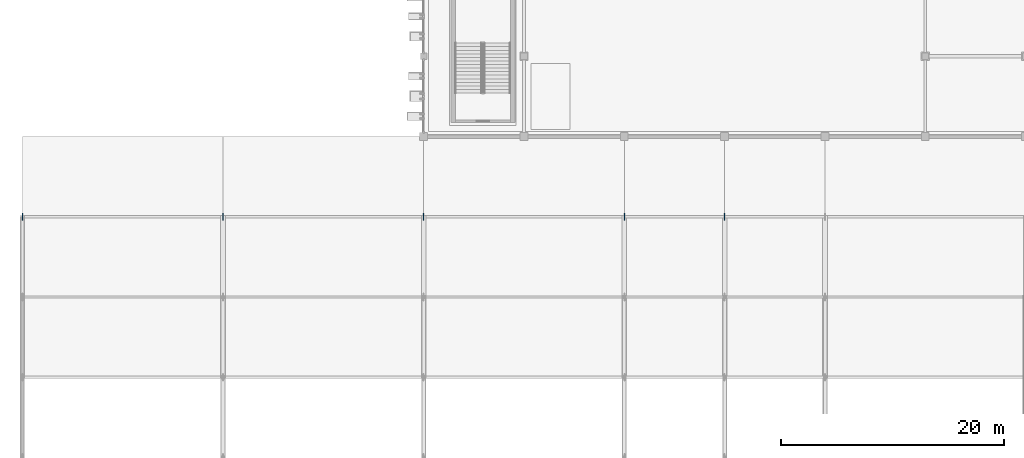
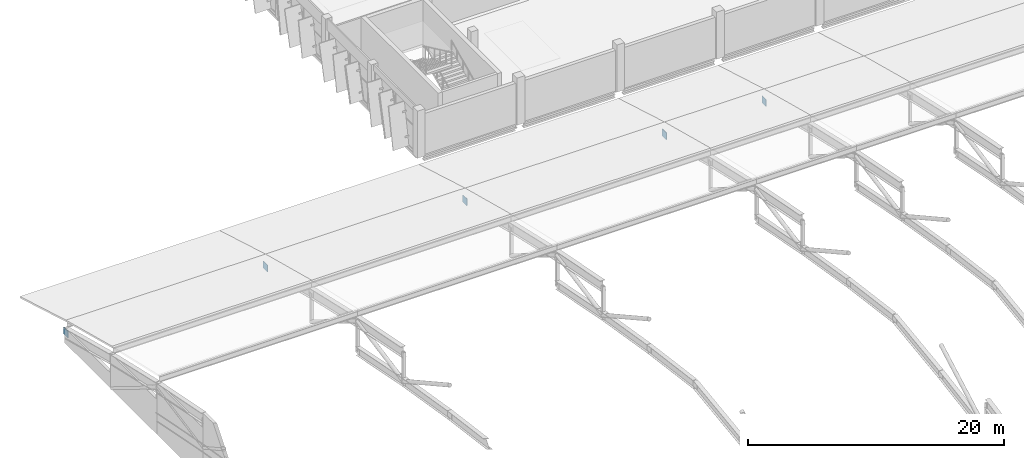
# One storey, part 86 of 124: 5 plates.
"""IFC4 building model written with IfcOpenShell, lengths in metres."""

from ifc_helpers import new_model, si_unit, direction, frame, origin, origin_2d, place, context, subcontext, project, spatial, rectangle, extrude, material, layer, layer_set, type_object, element, save


model = new_model("IFC4")

# Units and contexts
model_context = context("Model", 3, precision=1e-05, world=origin(), true_north=direction((0.0, 1.0)))
body_context = subcontext(model_context, "Body", "Model", "MODEL_VIEW")
ifc_project = project(units=[si_unit("LENGTHUNIT", "METRE"), si_unit("AREAUNIT", "SQUARE_METRE"), si_unit("VOLUMEUNIT", "CUBIC_METRE"), si_unit("PLANEANGLEUNIT", "RADIAN"), si_unit("MASSUNIT", "GRAM", prefix="KILO")], contexts=[model_context])

# Site, building, storey
site_placement = place(None, origin())
site = spatial("IfcSite", under=ifc_project, at=site_placement, CompositionType="ELEMENT")
building_placement = place(site_placement, origin())
building = spatial("IfcBuilding", under=site, at=building_placement, Name="Celestram Park Convention Centre", CompositionType="ELEMENT")
storey_placement = place(building_placement, frame((0.0, 0.0, 15.300048828125)))
storey = spatial("IfcBuildingStorey", under=building, at=storey_placement, Name="L03", CompositionType="ELEMENT", Elevation=15.300048828125)

# Plates
ifc_material = material(Name="Steel ASTM A572 Grade 50", Category="steel")
ifc_layer = layer(ifc_material, 0.050048828125)
ifc_layer_set = layer_set([ifc_layer], Name="Steel ASTM A572 Grade 50")
plate_type = type_object("IfcPlateType", Name="STR-PLT-GP50", PredefinedType="USERDEFINED", material=ifc_layer_set)
for number, where, z_axis, x_axis, name in (
    (1, (0.0, 100.800048828125, -0.2880859375), (0.0, 0.0, 1.0), (0.0, 1.0, 0.0), "V1 truss node gusset plate"),
    (2, (18.0, 100.800048828125, -0.2880859375), (0.0, 0.0, 1.0), (0.0, 1.0, 0.0), "V1 truss node gusset plate"),
    (3, (36.0, 100.800048828125, -0.2880859375), (0.0, 0.0, 1.0), (0.0, 1.0, 0.0), "V1 truss node gusset plate"),
    (4, (54.0, 100.800048828125, -0.2880859375), (0.0, 0.0, 1.0), (0.0, 1.0, 0.0), "V1 truss node gusset plate"),
    (5, (63.0, 100.800048828125, -0.2880859375), (0.0, 0.0, 1.0), (0.0, 1.0, 0.0), "V1 truss node gusset plate"),
):
    element("IfcPlate", number, at=place(storey_placement, frame(where, z_axis=z_axis, x_axis=x_axis)), inside=storey, type_object=plate_type, Name=name, ObjectType="GUSSET_PLATE", PredefinedType="USERDEFINED", context=body_context, shape_type="SweptSolid", body=[
        extrude(rectangle(XDim=0.64990234375, YDim=0.050048828125, at=origin_2d()), origin(), (0.0, 0.0, 1.0), 0.64990234375),
    ])

save(model, "model.ifc")
